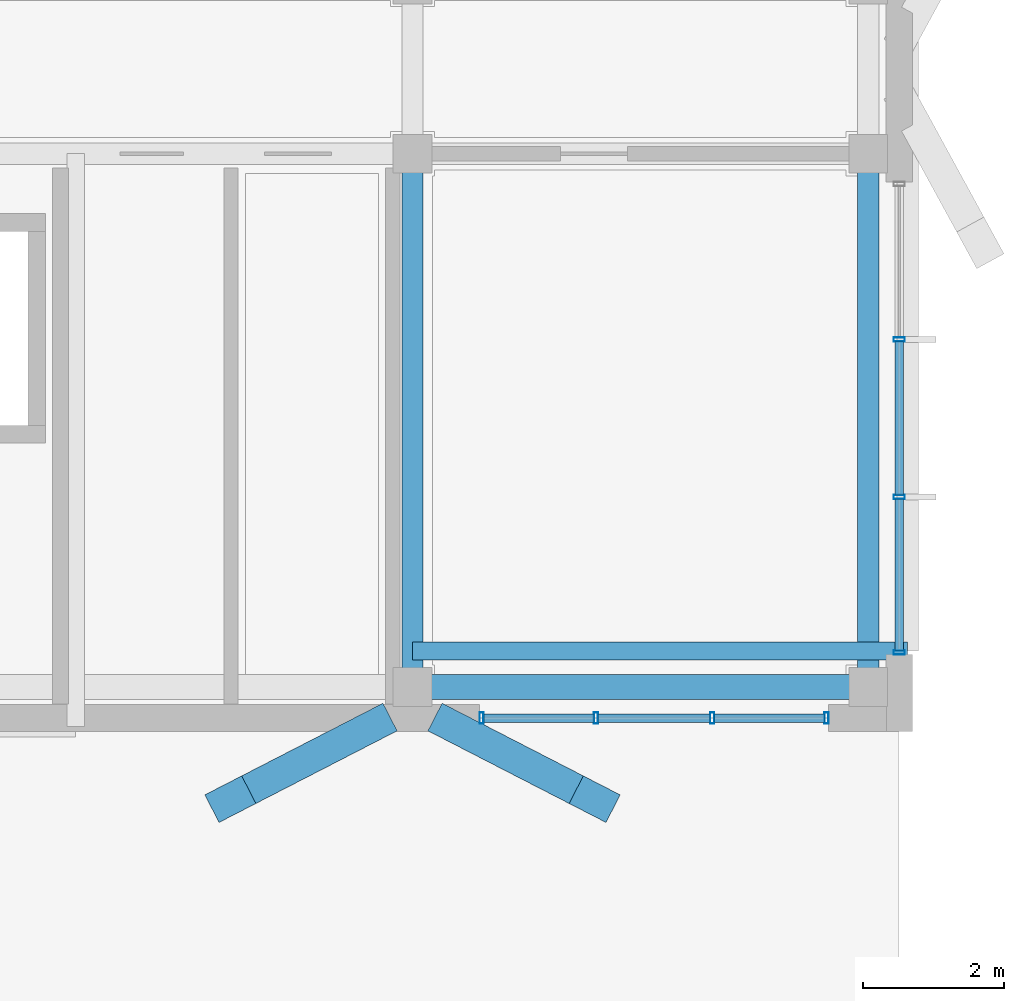
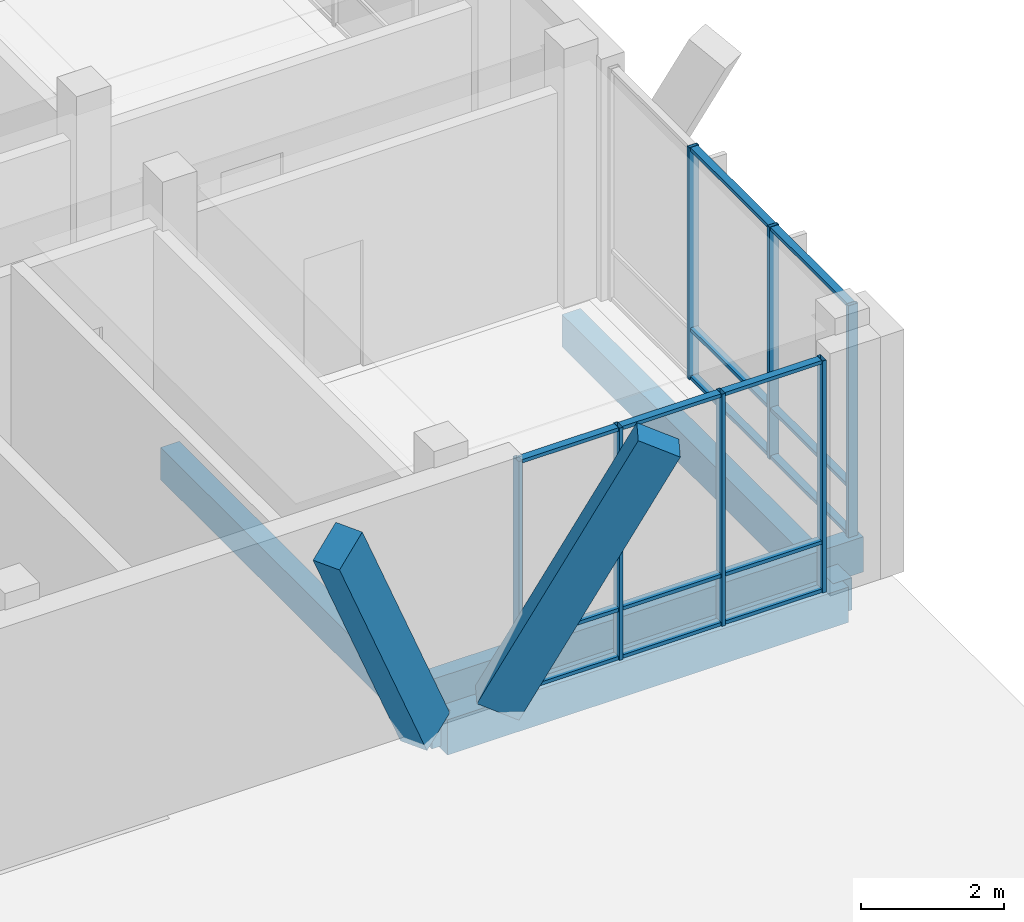
# One storey, part 172 of 233: 24 members, 4 beams, 2 elements without a shape of their own.
"""IFC4 building model written with IfcOpenShell, lengths in metres."""

from ifc_helpers import new_model, si_unit, direction, frame, origin, origin_2d, place, context, subcontext, project, spatial, rectangle, hollow_rectangle, extrude, material, material_profile, profile_set, type_object, element, aggregate, save


model = new_model("IFC4")

# Units and contexts
model_context = context("Model", 3, precision=1e-05, world=origin(), true_north=direction((0.0, 1.0)))
body_context = subcontext(model_context, "Body", "Model", "MODEL_VIEW")
ifc_project = project(units=[si_unit("LENGTHUNIT", "METRE"), si_unit("AREAUNIT", "SQUARE_METRE"), si_unit("VOLUMEUNIT", "CUBIC_METRE"), si_unit("PLANEANGLEUNIT", "RADIAN"), si_unit("MASSUNIT", "GRAM", prefix="KILO")], contexts=[model_context])

# Site, building, storey
site_placement = place(None, origin())
site = spatial("IfcSite", under=ifc_project, at=site_placement, CompositionType="ELEMENT")
building_placement = place(site_placement, origin())
building = spatial("IfcBuilding", under=site, at=building_placement, Name="Zavelmont Quarter", CompositionType="ELEMENT")
storey_placement = place(building_placement, origin())
storey = spatial("IfcBuildingStorey", under=building, at=storey_placement, Name="L00", CompositionType="ELEMENT", Elevation=0.0)

# Beams
ifc_material_1 = material(Name="Concrete C35/45", Category="concrete")
ifc_material_profile_1 = material_profile(ifc_material_1, rectangle(XDim=0.35009765625, YDim=0.60009765625, at=origin_2d()), Name="RC350X600")
ifc_profile_set_1 = profile_set([ifc_material_profile_1], Name="Concrete C35/45")
beam_type_1 = type_object("IfcBeamType", Name="BM01", PredefinedType="SPANDREL", material=ifc_profile_set_1)
beam_1_placement = place(storey_placement, frame((161.10009765625, 98.0400390625, -0.6201171875), z_axis=(1.0, 0.0, 0.0), x_axis=(0.0, 1.0, 0.0)))
element("IfcBeam", 1, at=beam_1_placement, inside=storey, type_object=beam_type_1, Name="L00 beam BM01 24/P to 25/P", PredefinedType="SPANDREL", context=body_context, shape_type="SweptSolid", body=[
    extrude(rectangle(XDim=0.35009765625, YDim=0.60009765625, at=origin_2d()), origin(), (0.0, 0.0, 1.0), 6.4599609375),
])
ifc_material_profile_2 = material_profile(ifc_material_1, rectangle(XDim=0.300048828125, YDim=0.550048828125, at=origin_2d()), Name="RC300X550")
ifc_profile_set_2 = profile_set([ifc_material_profile_2], Name="Concrete C35/45")
beam_type_2 = type_object("IfcBeamType", Name="BM02", PredefinedType="SPANDREL", material=ifc_profile_set_2)
for number, where, z_axis, x_axis, name in (
    (2, (161.10009765625, 98.0400390625, -0.594970703125), (0.0, 1.0, 0.0), (-1.0, 0.0, 0.0), "L00 beam BM02 24/P to 24/Q"),
    (3, (167.56005859375, 98.0400390625, -0.594970703125), (0.0, 1.0, 0.0), (-1.0, 0.0, 0.0), "L00 beam BM02 25/P to 25/Q"),
):
    element("IfcBeam", number, at=place(storey_placement, frame(where, z_axis=z_axis, x_axis=x_axis)), inside=storey, type_object=beam_type_2, Name=name, PredefinedType="SPANDREL", context=body_context, shape_type="SweptSolid", body=[
        extrude(rectangle(XDim=0.300048828125, YDim=0.550048828125, at=origin_2d()), origin(), (0.0, 0.0, 1.0), 7.56005859375),
    ])
ifc_material_2 = material(Name="Concrete C40/50", Category="concrete")
ifc_material_profile_3 = material_profile(ifc_material_2, rectangle(XDim=0.25, YDim=0.60009765625, at=origin_2d()), Name="RC250X600")
ifc_profile_set_3 = profile_set([ifc_material_profile_3], Name="Concrete C40/50")
beam_type_3 = type_object("IfcBeamType", Name="BM18", PredefinedType="BEAM", material=ifc_profile_set_3)
beam_2_placement = place(storey_placement, frame((161.10009765625, 98.550048828125, -0.300048828125), z_axis=(1.0, 0.0, 0.0), x_axis=(0.0, 1.0, 0.0)))
element("IfcBeam", 4, at=beam_2_placement, inside=storey, type_object=beam_type_3, Name="L00 beam BM18 24/P to 25/P", PredefinedType="BEAM", context=body_context, shape_type="SweptSolid", body=[
    extrude(rectangle(XDim=0.25, YDim=0.60009765625, at=origin_2d()), origin(), (0.0, 0.0, 1.0), 7.02001953125),
])

# Curtain wall, members
ifc_material_3 = material(Name="Thermally broken aluminium and double low-E safety glazing", Category="aluminium")
curtain_wall_type_1 = type_object("IfcCurtainWallType", Name="CW-495X395", PredefinedType="NOTDEFINED", material=ifc_material_3)
curtain_wall_1_placement = place(storey_placement, origin())
curtain_wall_1 = element("IfcCurtainWall", 5, at=curtain_wall_1_placement, inside=storey, type_object=curtain_wall_type_1, Name="L00 unitised curtain wall CW-495X395", PredefinedType="NOTDEFINED")
ifc_material_4 = material(Name="Powder-coated aluminium EN AW-6063-T6", Category="aluminium")
ifc_material_profile_4 = material_profile(ifc_material_4, hollow_rectangle(XDim=0.06005859375, YDim=0.159912109375, WallThickness=0.00390625, at=origin_2d()), Name="CWM60X160")
ifc_profile_set_4 = profile_set([ifc_material_profile_4], Name="Powder-coated aluminium EN AW-6063-T6")
member_type_1 = type_object("IfcMemberType", Name="CWM01", PredefinedType="MULLION", material=ifc_profile_set_4)
member_1_placement = place(storey_placement, frame((162.080078125, 97.60009765625, 0.0), z_axis=(0.0, 0.0, 1.0), x_axis=(1.0, 0.0, 0.0)))
member_1 = element("IfcMember", 6, at=member_1_placement, type_object=member_type_1, Name="CW-495X395 mullion 1", PredefinedType="MULLION", context=body_context, shape_type="SweptSolid", body=[
    extrude(hollow_rectangle(XDim=0.06005859375, YDim=0.159912109375, WallThickness=0.00390625, at=origin_2d()), origin(), (0.0, 0.0, 1.0), 3.949951171875),
])
member_2_placement = place(storey_placement, frame((163.699951171875, 97.60009765625, 0.0), z_axis=(0.0, 0.0, 1.0), x_axis=(1.0, 0.0, 0.0)))
member_2 = element("IfcMember", 7, at=member_2_placement, type_object=member_type_1, Name="CW-495X395 mullion 2", PredefinedType="MULLION", context=body_context, shape_type="SweptSolid", body=[
    extrude(hollow_rectangle(XDim=0.06005859375, YDim=0.159912109375, WallThickness=0.00390625, at=origin_2d()), origin(), (0.0, 0.0, 1.0), 3.949951171875),
])
member_3_placement = place(storey_placement, frame((165.35009765625, 97.60009765625, 0.0), z_axis=(0.0, 0.0, 1.0), x_axis=(1.0, 0.0, 0.0)))
member_3 = element("IfcMember", 8, at=member_3_placement, type_object=member_type_1, Name="CW-495X395 mullion 3", PredefinedType="MULLION", context=body_context, shape_type="SweptSolid", body=[
    extrude(hollow_rectangle(XDim=0.06005859375, YDim=0.159912109375, WallThickness=0.00390625, at=origin_2d()), origin(), (0.0, 0.0, 1.0), 3.949951171875),
])
member_4_placement = place(storey_placement, frame((166.969970703125, 97.60009765625, 0.0), z_axis=(0.0, 0.0, 1.0), x_axis=(1.0, 0.0, 0.0)))
member_4 = element("IfcMember", 9, at=member_4_placement, type_object=member_type_1, Name="CW-495X395 mullion 4", PredefinedType="MULLION", context=body_context, shape_type="SweptSolid", body=[
    extrude(hollow_rectangle(XDim=0.06005859375, YDim=0.159912109375, WallThickness=0.00390625, at=origin_2d()), origin(), (0.0, 0.0, 1.0), 3.949951171875),
])

curtain_wall_type_2 = type_object("IfcCurtainWallType", Name="CW-670X395", PredefinedType="NOTDEFINED", material=ifc_material_3)
curtain_wall_2_placement = place(storey_placement, origin())
curtain_wall_2 = element("IfcCurtainWall", 10, at=curtain_wall_2_placement, inside=storey, type_object=curtain_wall_type_2, Name="L00 unitised curtain wall CW-670X395", PredefinedType="NOTDEFINED")
member_5_placement = place(storey_placement, frame((168.0, 98.530029296875, 0.0), z_axis=(0.0, 0.0, 1.0), x_axis=(0.0, 1.0, 0.0)))
member_5 = element("IfcMember", 11, at=member_5_placement, type_object=member_type_1, Name="CW-670X395 mullion 1", PredefinedType="MULLION", context=body_context, shape_type="SweptSolid", body=[
    extrude(hollow_rectangle(XDim=0.06005859375, YDim=0.159912109375, WallThickness=0.00390625, at=origin_2d()), origin(), (0.0, 0.0, 1.0), 3.949951171875),
])
member_6_placement = place(storey_placement, frame((168.0, 100.7333984375, 0.0), z_axis=(0.0, 0.0, 1.0), x_axis=(0.0, 1.0, 0.0)))
member_6 = element("IfcMember", 12, at=member_6_placement, type_object=member_type_1, Name="CW-670X395 mullion 2", PredefinedType="MULLION", context=body_context, shape_type="SweptSolid", body=[
    extrude(hollow_rectangle(XDim=0.06005859375, YDim=0.159912109375, WallThickness=0.00390625, at=origin_2d()), origin(), (0.0, 0.0, 1.0), 3.949951171875),
])
member_7_placement = place(storey_placement, frame((168.0, 102.966552734375, 0.0), z_axis=(0.0, 0.0, 1.0), x_axis=(0.0, 1.0, 0.0)))
member_7 = element("IfcMember", 13, at=member_7_placement, type_object=member_type_1, Name="CW-670X395 mullion 3", PredefinedType="MULLION", context=body_context, shape_type="SweptSolid", body=[
    extrude(hollow_rectangle(XDim=0.06005859375, YDim=0.159912109375, WallThickness=0.00390625, at=origin_2d()), origin(), (0.0, 0.0, 1.0), 3.949951171875),
])

# Member
ifc_material_profile_5 = material_profile(ifc_material_4, hollow_rectangle(XDim=0.1201171875, YDim=0.06005859375, WallThickness=0.00390625, at=origin_2d()), Name="CWT60X120")
ifc_profile_set_5 = profile_set([ifc_material_profile_5], Name="Powder-coated aluminium EN AW-6063-T6")
member_type_2 = type_object("IfcMemberType", Name="CWT01", PredefinedType="NOTDEFINED", material=ifc_profile_set_5)
member_8_placement = place(storey_placement, frame((162.110107421875, 97.60009765625, 0.030029296875), z_axis=(1.0, 0.0, 0.0), x_axis=(0.0, 1.0, 0.0)))
member_8 = element("IfcMember", 14, at=member_8_placement, type_object=member_type_2, Name="CW-495X395 transom 1.1", ObjectType="TRANSOM", PredefinedType="USERDEFINED", context=body_context, shape_type="SweptSolid", body=[
    extrude(hollow_rectangle(XDim=0.1201171875, YDim=0.06005859375, WallThickness=0.00390625, at=origin_2d()), origin(), (0.0, 0.0, 1.0), 1.559814453125),
])

member_9_placement = place(storey_placement, frame((162.110107421875, 97.60009765625, 0.85009765625), z_axis=(1.0, 0.0, 0.0), x_axis=(0.0, 1.0, 0.0)))
member_9 = element("IfcMember", 15, at=member_9_placement, type_object=member_type_2, Name="CW-495X395 transom 1.2", ObjectType="TRANSOM", PredefinedType="USERDEFINED", context=body_context, shape_type="SweptSolid", body=[
    extrude(hollow_rectangle(XDim=0.1201171875, YDim=0.06005859375, WallThickness=0.00390625, at=origin_2d()), origin(), (0.0, 0.0, 1.0), 1.559814453125),
])

member_10_placement = place(storey_placement, frame((162.110107421875, 97.60009765625, 3.919921875), z_axis=(1.0, 0.0, 0.0), x_axis=(0.0, 1.0, 0.0)))
member_10 = element("IfcMember", 16, at=member_10_placement, type_object=member_type_2, Name="CW-495X395 transom 1.3", ObjectType="TRANSOM", PredefinedType="USERDEFINED", context=body_context, shape_type="SweptSolid", body=[
    extrude(hollow_rectangle(XDim=0.1201171875, YDim=0.06005859375, WallThickness=0.00390625, at=origin_2d()), origin(), (0.0, 0.0, 1.0), 1.559814453125),
])

member_11_placement = place(storey_placement, frame((163.72998046875, 97.60009765625, 0.030029296875), z_axis=(1.0, 0.0, 0.0), x_axis=(0.0, 1.0, 0.0)))
member_11 = element("IfcMember", 17, at=member_11_placement, type_object=member_type_2, Name="CW-495X395 transom 2.1", ObjectType="TRANSOM", PredefinedType="USERDEFINED", context=body_context, shape_type="SweptSolid", body=[
    extrude(hollow_rectangle(XDim=0.1201171875, YDim=0.06005859375, WallThickness=0.00390625, at=origin_2d()), origin(), (0.0, 0.0, 1.0), 1.590087890625),
])

member_12_placement = place(storey_placement, frame((163.72998046875, 97.60009765625, 0.85009765625), z_axis=(1.0, 0.0, 0.0), x_axis=(0.0, 1.0, 0.0)))
member_12 = element("IfcMember", 18, at=member_12_placement, type_object=member_type_2, Name="CW-495X395 transom 2.2", ObjectType="TRANSOM", PredefinedType="USERDEFINED", context=body_context, shape_type="SweptSolid", body=[
    extrude(hollow_rectangle(XDim=0.1201171875, YDim=0.06005859375, WallThickness=0.00390625, at=origin_2d()), origin(), (0.0, 0.0, 1.0), 1.590087890625),
])

member_13_placement = place(storey_placement, frame((163.72998046875, 97.60009765625, 3.919921875), z_axis=(1.0, 0.0, 0.0), x_axis=(0.0, 1.0, 0.0)))
member_13 = element("IfcMember", 19, at=member_13_placement, type_object=member_type_2, Name="CW-495X395 transom 2.3", ObjectType="TRANSOM", PredefinedType="USERDEFINED", context=body_context, shape_type="SweptSolid", body=[
    extrude(hollow_rectangle(XDim=0.1201171875, YDim=0.06005859375, WallThickness=0.00390625, at=origin_2d()), origin(), (0.0, 0.0, 1.0), 1.590087890625),
])

member_14_placement = place(storey_placement, frame((165.3798828125, 97.60009765625, 0.030029296875), z_axis=(1.0, 0.0, 0.0), x_axis=(0.0, 1.0, 0.0)))
member_14 = element("IfcMember", 20, at=member_14_placement, type_object=member_type_2, Name="CW-495X395 transom 3.1", ObjectType="TRANSOM", PredefinedType="USERDEFINED", context=body_context, shape_type="SweptSolid", body=[
    extrude(hollow_rectangle(XDim=0.1201171875, YDim=0.06005859375, WallThickness=0.00390625, at=origin_2d()), origin(), (0.0, 0.0, 1.0), 1.56005859375),
])

member_15_placement = place(storey_placement, frame((165.3798828125, 97.60009765625, 0.85009765625), z_axis=(1.0, 0.0, 0.0), x_axis=(0.0, 1.0, 0.0)))
member_15 = element("IfcMember", 21, at=member_15_placement, type_object=member_type_2, Name="CW-495X395 transom 3.2", ObjectType="TRANSOM", PredefinedType="USERDEFINED", context=body_context, shape_type="SweptSolid", body=[
    extrude(hollow_rectangle(XDim=0.1201171875, YDim=0.06005859375, WallThickness=0.00390625, at=origin_2d()), origin(), (0.0, 0.0, 1.0), 1.56005859375),
])

member_16_placement = place(storey_placement, frame((165.3798828125, 97.60009765625, 3.919921875), z_axis=(1.0, 0.0, 0.0), x_axis=(0.0, 1.0, 0.0)))
member_16 = element("IfcMember", 22, at=member_16_placement, type_object=member_type_2, Name="CW-495X395 transom 3.3", ObjectType="TRANSOM", PredefinedType="USERDEFINED", context=body_context, shape_type="SweptSolid", body=[
    extrude(hollow_rectangle(XDim=0.1201171875, YDim=0.06005859375, WallThickness=0.00390625, at=origin_2d()), origin(), (0.0, 0.0, 1.0), 1.56005859375),
])

aggregate(curtain_wall_1, [member_1, member_2, member_3, member_4, member_8, member_9, member_10, member_11, member_12, member_13, member_14, member_15, member_16])

member_17_placement = place(storey_placement, frame((168.0, 98.56005859375, 0.030029296875), z_axis=(0.0, 1.0, 0.0), x_axis=(-1.0, 0.0, 0.0)))
member_17 = element("IfcMember", 23, at=member_17_placement, type_object=member_type_2, Name="CW-670X395 transom 1.1", ObjectType="TRANSOM", PredefinedType="USERDEFINED", context=body_context, shape_type="SweptSolid", body=[
    extrude(hollow_rectangle(XDim=0.1201171875, YDim=0.06005859375, WallThickness=0.00390625, at=origin_2d()), origin(), (0.0, 0.0, 1.0), 2.143310546875),
])

member_18_placement = place(storey_placement, frame((168.0, 98.56005859375, 0.85009765625), z_axis=(0.0, 1.0, 0.0), x_axis=(-1.0, 0.0, 0.0)))
member_18 = element("IfcMember", 24, at=member_18_placement, type_object=member_type_2, Name="CW-670X395 transom 1.2", ObjectType="TRANSOM", PredefinedType="USERDEFINED", context=body_context, shape_type="SweptSolid", body=[
    extrude(hollow_rectangle(XDim=0.1201171875, YDim=0.06005859375, WallThickness=0.00390625, at=origin_2d()), origin(), (0.0, 0.0, 1.0), 2.143310546875),
])

member_19_placement = place(storey_placement, frame((168.0, 98.56005859375, 3.919921875), z_axis=(0.0, 1.0, 0.0), x_axis=(-1.0, 0.0, 0.0)))
member_19 = element("IfcMember", 25, at=member_19_placement, type_object=member_type_2, Name="CW-670X395 transom 1.3", ObjectType="TRANSOM", PredefinedType="USERDEFINED", context=body_context, shape_type="SweptSolid", body=[
    extrude(hollow_rectangle(XDim=0.1201171875, YDim=0.06005859375, WallThickness=0.00390625, at=origin_2d()), origin(), (0.0, 0.0, 1.0), 2.143310546875),
])

member_20_placement = place(storey_placement, frame((168.0, 100.763427734375, 0.030029296875), z_axis=(0.0, 1.0, 0.0), x_axis=(-1.0, 0.0, 0.0)))
member_20 = element("IfcMember", 26, at=member_20_placement, type_object=member_type_2, Name="CW-670X395 transom 2.1", ObjectType="TRANSOM", PredefinedType="USERDEFINED", context=body_context, shape_type="SweptSolid", body=[
    extrude(hollow_rectangle(XDim=0.1201171875, YDim=0.06005859375, WallThickness=0.00390625, at=origin_2d()), origin(), (0.0, 0.0, 1.0), 2.17333984375),
])

member_21_placement = place(storey_placement, frame((168.0, 100.763427734375, 0.85009765625), z_axis=(0.0, 1.0, 0.0), x_axis=(-1.0, 0.0, 0.0)))
member_21 = element("IfcMember", 27, at=member_21_placement, type_object=member_type_2, Name="CW-670X395 transom 2.2", ObjectType="TRANSOM", PredefinedType="USERDEFINED", context=body_context, shape_type="SweptSolid", body=[
    extrude(hollow_rectangle(XDim=0.1201171875, YDim=0.06005859375, WallThickness=0.00390625, at=origin_2d()), origin(), (0.0, 0.0, 1.0), 2.17333984375),
])

member_22_placement = place(storey_placement, frame((168.0, 100.763427734375, 3.919921875), z_axis=(0.0, 1.0, 0.0), x_axis=(-1.0, 0.0, 0.0)))
member_22 = element("IfcMember", 28, at=member_22_placement, type_object=member_type_2, Name="CW-670X395 transom 2.3", ObjectType="TRANSOM", PredefinedType="USERDEFINED", context=body_context, shape_type="SweptSolid", body=[
    extrude(hollow_rectangle(XDim=0.1201171875, YDim=0.06005859375, WallThickness=0.00390625, at=origin_2d()), origin(), (0.0, 0.0, 1.0), 2.17333984375),
])

aggregate(curtain_wall_2, [member_5, member_6, member_7, member_17, member_18, member_19, member_20, member_21, member_22])

# Members
ifc_material_5 = material(Name="White architectural precast concrete C40/50", Category="concrete")
ifc_material_profile_6 = material_profile(ifc_material_5, rectangle(XDim=0.43994140625, YDim=0.659912109375, at=origin_2d()), Name="PCR320X480")
ifc_profile_set_6 = profile_set([ifc_material_profile_6], Name="White architectural precast concrete C40/50")
member_type_3 = type_object("IfcMemberType", Name="VR01M", PredefinedType="CHORD", material=ifc_profile_set_6)
for number, where, z_axis, x_axis, name in (
    (29, (160.52001953125, 97.47998046875, 0.0), (-0.405093200499, -0.208399977186, 0.890207250261), (0.457463158029, -0.889228575253, 0.0), "L00 member VR01M 24/P to 24/P"),
    (30, (161.679931640625, 97.47998046875, 0.0), (0.405093200499, -0.208399977186, 0.890207250261), (0.457463158029, 0.889228575253, 0.0), "L00 member VR01M 24/P to 24/P"),
):
    element("IfcMember", number, at=place(storey_placement, frame(where, z_axis=z_axis, x_axis=x_axis)), inside=storey, type_object=member_type_3, Name=name, PredefinedType="CHORD", context=body_context, shape_type="SweptSolid", body=[
        extrude(rectangle(XDim=0.43994140625, YDim=0.659912109375, at=origin_2d()), origin(), (0.0, 0.0, 1.0), 4.942626953125),
    ])

save(model, "model.ifc")
